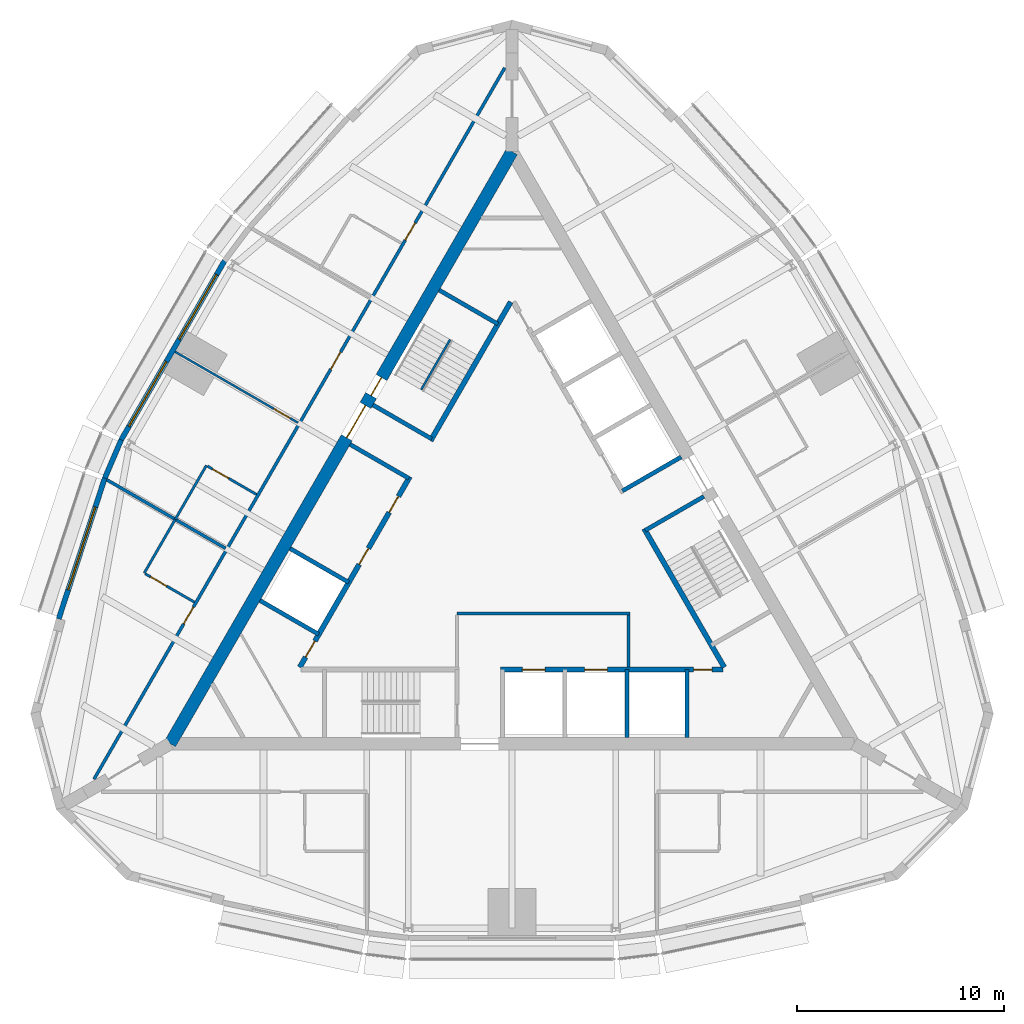
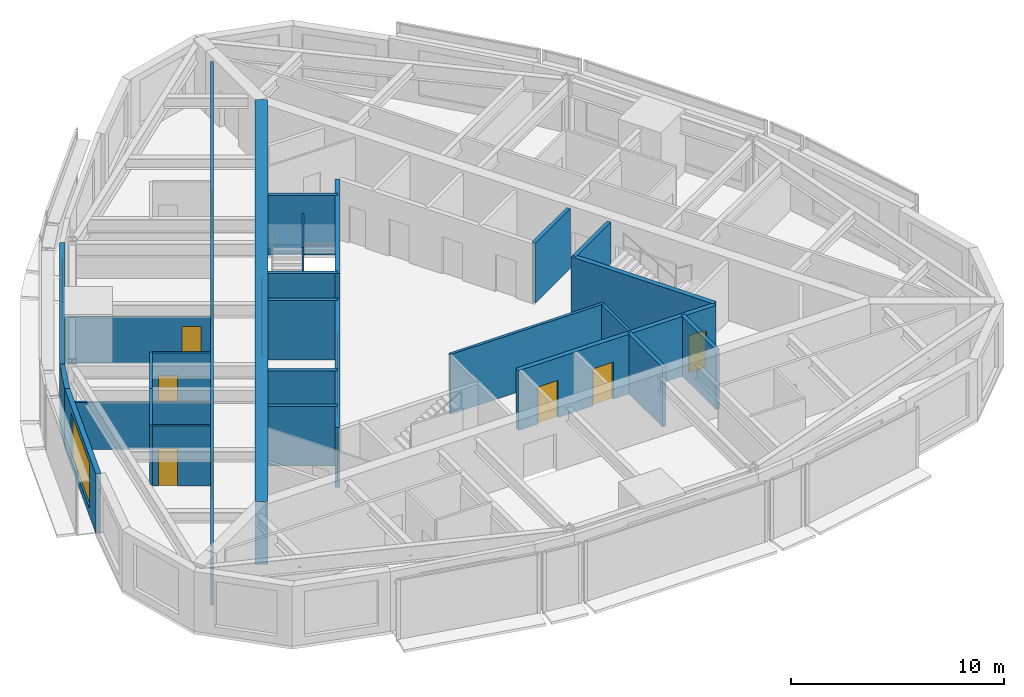
# One storey, part 8 of 12: 27 walls, 14 doors, 3 windows, 17 openings.
"""IFC4 building model written with IfcOpenShell, lengths in metres."""

import ifcopenshell
import ifcopenshell.guid

model = None  # the IFC model being written
_history = None  # IfcOwnerHistory: only IFC2X3 demands one
_inside = {}  # id of a spatial element -> (the spatial element, [elements in it])
_under = {}  # id of a project, library or spatial element -> (it, [spatial elements below it])
_declared = {}  # id of a project -> (the project, [libraries it declares])
_typed = {}  # id of a type object -> (the type object, [elements of that type])
_made_of = {}  # id of a material, layer set ... -> (it, [elements and type objects made of it])


def new_model(schema):
    """Start an empty IFC model of exactly this schema.

    Asked for "IFC4X3", IfcOpenShell would pick the latest addendum, in which some entities
    have other attributes; the version numbers below select the first issue.
    IFC2X3 requires an IfcOwnerHistory on every rooted entity: one is made here for all.
    """
    global model, _history
    if schema == "IFC4X3":
        model = ifcopenshell.file(schema_version=(4, 3, 0, 0))
    else:
        model = ifcopenshell.file(schema=schema)
    _inside.clear()
    _under.clear()
    _declared.clear()
    _typed.clear()
    _made_of.clear()
    _history = None
    if model.schema == "IFC2X3":
        org = make("IfcOrganization", Name="unknown")
        user = make(
            "IfcPersonAndOrganization",
            ThePerson=make("IfcPerson", FamilyName="unknown"),
            TheOrganization=org,
        )
        app = make(
            "IfcApplication",
            ApplicationDeveloper=org,
            Version="unknown",
            ApplicationFullName="unknown",
            ApplicationIdentifier="unknown",
        )
        _history = make(
            "IfcOwnerHistory",
            OwningUser=user,
            OwningApplication=app,
            ChangeAction="ADDED",
            CreationDate=0,
        )
    return model


def make(cls, **values):
    """One entity of the class cls with the attributes given. An attribute that is None is left unset."""
    return model.create_entity(
        cls, **{name: value for name, value in values.items() if value is not None}
    )


def rooted(cls, **values):
    """An entity with a GlobalId (a new one), such as an element, a storey or a relation."""
    return make(cls, GlobalId=ifcopenshell.guid.new(), OwnerHistory=_history, **values)


def si_unit(unit_type, name, prefix=None):
    """IfcSIUnit, for example si_unit("LENGTHUNIT", "METRE", prefix="MILLI")."""
    return make("IfcSIUnit", UnitType=unit_type, Prefix=prefix, Name=name)


def assignment(units):
    """IfcUnitAssignment: the units of a project."""
    return None if units is None else make("IfcUnitAssignment", Units=units)


def point(xyz):
    """IfcCartesianPoint."""
    return None if xyz is None else make("IfcCartesianPoint", Coordinates=xyz)


def direction(xyz):
    """IfcDirection."""
    return None if xyz is None else make("IfcDirection", DirectionRatios=xyz)


def frame(location, z_axis=None, x_axis=None):
    """IfcAxis2Placement3D, a coordinate frame: its origin and axes. An axis left out is left unset."""
    return make(
        "IfcAxis2Placement3D",
        Location=point(location),
        Axis=direction(z_axis),
        RefDirection=direction(x_axis),
    )


def frame_2d(location, x_axis=None):
    """IfcAxis2Placement2D, a coordinate frame in the plane: its origin and x axis."""
    return make(
        "IfcAxis2Placement2D", Location=point(location), RefDirection=direction(x_axis)
    )


def origin():
    """The frame at (0, 0, 0) with its axes left unset."""
    return frame((0.0, 0.0, 0.0))


def place(relative_to, where):
    """IfcLocalPlacement: puts the frame where relative to a parent placement (None: the world)."""
    return make(
        "IfcLocalPlacement", PlacementRelTo=relative_to, RelativePlacement=where
    )


def context(
    kind, dimensions, precision=None, world=None, true_north=None, identifier=None
):
    """IfcGeometricRepresentationContext, for example the 3D "Model" context."""
    return make(
        "IfcGeometricRepresentationContext",
        ContextIdentifier=identifier,
        ContextType=kind,
        CoordinateSpaceDimension=dimensions,
        Precision=precision,
        WorldCoordinateSystem=world,
        TrueNorth=true_north,
    )


def subcontext(parent, identifier, kind, view, scale=None):
    """IfcGeometricRepresentationSubContext, for example "Body" below "Model"."""
    return make(
        "IfcGeometricRepresentationSubContext",
        ContextIdentifier=identifier,
        ContextType=kind,
        ParentContext=parent,
        TargetScale=scale,
        TargetView=view,
    )


def project(units=None, contexts=None):
    """IfcProject with its units and contexts."""
    return rooted(
        "IfcProject",
        Name="project",
        RepresentationContexts=contexts,
        UnitsInContext=assignment(units),
    )


def spatial(cls, under=None, at=None, **own):
    """A site, building, storey or space (cls), placed at a placement, below another one or the project."""
    s = rooted(cls, ObjectPlacement=at, **own)
    if under is not None:
        _under.setdefault(under.id(), (under, []))[1].append(s)
    return s


def profile(cls, at=None, kind="AREA", **sizes):
    """A parametric profile (cls). Its sizes go by their IFC names, for example OverallWidth=200.0."""
    return make(cls, ProfileType=kind, Position=at, **sizes)


def rectangle(**sizes):
    """IfcRectangleProfileDef."""
    return profile("IfcRectangleProfileDef", **sizes)


def extrude(swept, where, along, depth):
    """IfcExtrudedAreaSolid: the profile swept, set in the frame where, extruded along a direction by depth."""
    return make(
        "IfcExtrudedAreaSolid",
        SweptArea=swept,
        Position=where,
        ExtrudedDirection=direction(along),
        Depth=depth,
    )


def shape(context_of_items, identifier, shape_type, items):
    """IfcShapeRepresentation: the items that make up one representation, for example the "Body"."""
    return make(
        "IfcShapeRepresentation",
        ContextOfItems=context_of_items,
        RepresentationIdentifier=identifier,
        RepresentationType=shape_type,
        Items=items,
    )


def material(Name=None, Category=None):
    """IfcMaterial."""
    return make("IfcMaterial", Name=Name, Category=Category)


def layer(
    of_material, thickness, ventilated=None, Name=None, Category=None, Priority=None
):
    """IfcMaterialLayer: one layer of a wall or slab, of a material (None: an air gap)."""
    return make(
        "IfcMaterialLayer",
        Material=of_material,
        LayerThickness=thickness,
        IsVentilated=ventilated,
        Name=Name,
        Category=Category,
        Priority=Priority,
    )


def layer_set(layers, Name=None):
    """IfcMaterialLayerSet."""
    return make("IfcMaterialLayerSet", MaterialLayers=layers, LayerSetName=Name)


def made_of(thing, what):
    """Note that an element or type object is made of a material, layer set ...; save() writes the relation."""
    if what is not None:
        _made_of.setdefault(what.id(), (what, []))[1].append(thing)
    return thing


def type_object(cls, material=None, **own):
    """A type object (cls), such as IfcWallType, which elements share."""
    return made_of(rooted(cls, **own), material)


def element(
    cls,
    number,
    at=None,
    inside=None,
    cuts=None,
    type_object=None,
    material=None,
    context=None,
    identifier="Body",
    shape_type=None,
    held_by="IfcProductDefinitionShape",
    body=None,
    shapes=None,
    **own,
):
    """One element of the class cls, such as IfcWall. Its Tag is "e" and its number.

    at: its placement. inside: the storey or other place that contains it. cuts: it is an
    opening in that element (IfcRelVoidsElement). A single representation is given by context,
    identifier, shape_type and body (its items); several are given by shapes. held_by: the class
    of the entity that holds the representations. save() writes the other relations.
    """
    e = rooted(cls, Tag="e%d" % number, ObjectPlacement=at, **own)
    if body is not None:
        shapes = [shape(context, identifier, shape_type, body)]
    if shapes is not None:
        e.Representation = make(held_by, Representations=shapes)
    if inside is not None:
        _inside.setdefault(inside.id(), (inside, []))[1].append(e)
    if cuts is not None:
        rooted(
            "IfcRelVoidsElement", RelatingBuildingElement=cuts, RelatedOpeningElement=e
        )
    if type_object is not None:
        _typed.setdefault(type_object.id(), (type_object, []))[1].append(e)
    return made_of(e, material)


def fill(opening, filler):
    """IfcRelFillsElement: the door or window that sits in an opening."""
    return rooted(
        "IfcRelFillsElement",
        RelatingOpeningElement=opening,
        RelatedBuildingElement=filler,
    )


def aggregate(whole, parts):
    """IfcRelAggregates: a whole, such as a stair, and the parts it consists of."""
    return rooted("IfcRelAggregates", RelatingObject=whole, RelatedObjects=parts)


def save(model, path):
    """Write the relations noted so far, then the file.

    IfcRelAggregates (storeys below a building ...), IfcRelContainedInSpatialStructure (elements
    in a storey), IfcRelDefinesByType, IfcRelAssociatesMaterial and IfcRelDeclares: one each for
    every whole, place, type object, material and project.
    """
    for whole, parts in _under.values():
        aggregate(whole, parts)
    for where, things in _inside.values():
        rooted(
            "IfcRelContainedInSpatialStructure",
            RelatedElements=things,
            RelatingStructure=where,
        )
    for kind, things in _typed.values():
        rooted("IfcRelDefinesByType", RelatedObjects=things, RelatingType=kind)
    for what, things in _made_of.values():
        rooted("IfcRelAssociatesMaterial", RelatedObjects=things, RelatingMaterial=what)
    for by, libraries in _declared.values():
        rooted("IfcRelDeclares", RelatingContext=by, RelatedDefinitions=libraries)
    model.write(path)


model = new_model("IFC4")

# Units and contexts
model_context = context("Model", 3, precision=1e-05, world=origin(), true_north=direction((0.0, 1.0)))
body_context = subcontext(model_context, "Body", "Model", "MODEL_VIEW")
ifc_project = project(units=[si_unit("LENGTHUNIT", "METRE"), si_unit("AREAUNIT", "SQUARE_METRE"), si_unit("VOLUMEUNIT", "CUBIC_METRE"), si_unit("PLANEANGLEUNIT", "RADIAN"), si_unit("MASSUNIT", "GRAM", prefix="KILO")], contexts=[model_context])

# Site, building, storey
site_placement = place(None, origin())
site = spatial("IfcSite", under=ifc_project, at=site_placement, CompositionType="ELEMENT")
building_placement = place(site_placement, origin())
building = spatial("IfcBuilding", under=site, at=building_placement, Name="Trikona Tower", CompositionType="ELEMENT")
storey_placement = place(building_placement, frame((0.0, 0.0, 253.699951171875)))
storey = spatial("IfcBuildingStorey", under=building, at=storey_placement, Name="L67", CompositionType="ELEMENT", Elevation=253.699951171875)

# Wall
ifc_material_1 = material(Name="Metal stud and cement board", Category="gypsum")
ifc_layer_1 = layer(ifc_material_1, 0.1201171875)
ifc_layer_set_1 = layer_set([ifc_layer_1], Name="Bathroom wall 120")
wall_type_1 = type_object("IfcWallType", Name="Bathroom wall 120", PredefinedType="PLUMBINGWALL", material=ifc_layer_set_1)
wall_1_placement = place(storey_placement, frame((-14.75341796875, 3.89892578125, 0.0), z_axis=(0.0, 0.0, 1.0), x_axis=(-0.50002537861, -0.866010750942, 0.0)))
element("IfcWall", 1, at=wall_1_placement, inside=storey, type_object=wall_type_1, Name="Bathroom wall 6706.1", PredefinedType="PLUMBINGWALL", context=body_context, shape_type="SweptSolid", body=[
    extrude(rectangle(XDim=2.999755859375, YDim=0.1201171875, at=frame_2d((1.5, 0.0))), origin(), (0.0, 0.0, 1.0), 3.43505859375),
])

# Wall, opening, door
wall_2_placement = place(storey_placement, frame((-12.32861328125, 2.4990234375, 0.0), z_axis=(0.0, 0.0, 1.0), x_axis=(-0.866035715982, 0.499982138324, 0.0)))
wall_2 = element("IfcWall", 2, at=wall_2_placement, inside=storey, type_object=wall_type_1, Name="Bathroom wall 6706.1", PredefinedType="PLUMBINGWALL", context=body_context, shape_type="SweptSolid", body=[
    extrude(rectangle(XDim=2.73974609375, YDim=0.1201171875, at=frame_2d((1.369873046875, 0.0))), origin(), (0.0, 0.0, 1.0), 3.43505859375),
])
opening_1_placement = place(wall_2_placement, frame((1.550048828125, 0.0, 0.0)))
opening_1 = element("IfcOpeningElement", 3, at=opening_1_placement, cuts=wall_2, Name="Opening D2", PredefinedType="OPENING", context=body_context, shape_type="SweptSolid", body=[
    extrude(rectangle(XDim=0.89990234375, YDim=2.1298828125, at=frame_2d((0.449951171875, 1.06494140625))), frame((0.0, 0.070068359375, 0.0), z_axis=(0.0, -1.0, 0.0), x_axis=(1.0, 0.0, 0.0)), (0.0, 0.0, 1.0), 0.14013671875),
])
ifc_material_2 = material(Name="Steel door frame with solid-core timber leaf", Category="steel")
door_type_1 = type_object("IfcDoorType", Name="Bathroom door 900x2130", OperationType="SLIDING_TO_LEFT", PredefinedType="DOOR", material=ifc_material_2)
door_1_placement = place(opening_1_placement, origin())
door_1 = element("IfcDoor", 4, at=door_1_placement, inside=storey, type_object=door_type_1, Name="Bathroom door 6706.1", OperationType="SLIDING_TO_LEFT", OverallHeight=2.1298828125, OverallWidth=0.89990234375, PredefinedType="DOOR", context=body_context, shape_type="SweptSolid", body=[
    extrude(rectangle(XDim=0.89990234375, YDim=2.1298828125, at=frame_2d((0.449951171875, 1.06494140625))), frame((0.0, 0.02490234375, 0.0), z_axis=(0.0, -1.0, 0.0), x_axis=(1.0, 0.0, 0.0)), (0.0, 0.0, 1.0), 0.050048828125),
])
fill(opening_1, door_1)

# Wall
wall_3_placement = place(storey_placement, frame((-16.25341796875, 1.301025390625, 0.0), z_axis=(0.0, 0.0, 1.0), x_axis=(-0.499990139034, -0.866031096941, 0.0)))
element("IfcWall", 5, at=wall_3_placement, inside=storey, type_object=wall_type_1, Name="Bathroom wall 6707", PredefinedType="PLUMBINGWALL", context=body_context, shape_type="SweptSolid", body=[
    extrude(rectangle(XDim=3.0, YDim=0.1201171875, at=frame_2d((1.5, 0.0))), origin(), (0.0, 0.0, 1.0), 3.43505859375),
])

# Wall, opening, door
wall_4_placement = place(storey_placement, frame((-15.32861328125, -2.697021484375, 0.0), z_axis=(0.0, 0.0, 1.0), x_axis=(-0.866035715982, 0.499982138324, 0.0)))
wall_4 = element("IfcWall", 6, at=wall_4_placement, inside=storey, type_object=wall_type_1, Name="Bathroom wall 6707", PredefinedType="PLUMBINGWALL", context=body_context, shape_type="SweptSolid", body=[
    extrude(rectangle(XDim=2.73974609375, YDim=0.1201171875, at=frame_2d((1.369873046875, 0.0))), origin(), (0.0, 0.0, 1.0), 3.43505859375),
])
opening_2_placement = place(wall_4_placement, frame((1.550048828125, 0.0, 0.0)))
opening_2 = element("IfcOpeningElement", 7, at=opening_2_placement, cuts=wall_4, Name="Opening D2", PredefinedType="OPENING", context=body_context, shape_type="SweptSolid", body=[
    extrude(rectangle(XDim=0.89990234375, YDim=2.1298828125, at=frame_2d((0.449951171875, 1.06494140625))), frame((0.0, 0.070068359375, 0.0), z_axis=(0.0, -1.0, 0.0), x_axis=(1.0, 0.0, 0.0)), (0.0, 0.0, 1.0), 0.14013671875),
])
door_2_placement = place(opening_2_placement, origin())
door_2 = element("IfcDoor", 8, at=door_2_placement, inside=storey, type_object=door_type_1, Name="Bathroom door 6707", OperationType="SLIDING_TO_LEFT", OverallHeight=2.1298828125, OverallWidth=0.89990234375, PredefinedType="DOOR", context=body_context, shape_type="SweptSolid", body=[
    extrude(rectangle(XDim=0.89990234375, YDim=2.1298828125, at=frame_2d((0.449951171875, 1.06494140625))), frame((0.0, 0.02490234375, 0.0), z_axis=(0.0, -1.0, 0.0), x_axis=(1.0, 0.0, 0.0)), (0.0, 0.0, 1.0), 0.050048828125),
])
fill(opening_2, door_2)

# Wall, openings, doors
ifc_material_3 = material(Name="Concrete f'c 10000 psi", Category="concrete")
ifc_layer_2 = layer(ifc_material_3, 0.60009765625)
ifc_layer_set_2 = layer_set([ifc_layer_2], Name="Core wall 600")
wall_type_2 = type_object("IfcWallType", Name="Core wall 600", PredefinedType="SHEAR", material=ifc_layer_set_2)
wall_5_placement = place(storey_placement, frame((0.0, 19.052490234375, 0.0), z_axis=(0.0, 0.0, 1.0), x_axis=(-0.499999749417, -0.866025548458, 0.0)))
wall_5 = element("IfcWall", 9, at=wall_5_placement, inside=storey, type_object=wall_type_2, Name="Core wall C", PredefinedType="SHEAR", context=body_context, shape_type="SweptSolid", body=[
    extrude(rectangle(XDim=33.0, YDim=0.60009765625, at=frame_2d((16.5, 0.0))), origin(), (0.0, 0.0, 1.0), 3.60009765625),
])
opening_3_placement = place(wall_5_placement, frame((14.14990234375, 0.0, 0.0)))
opening_3 = element("IfcOpeningElement", 10, at=opening_3_placement, cuts=wall_5, Name="Opening D6", PredefinedType="OPENING", context=body_context, shape_type="SweptSolid", body=[
    extrude(rectangle(XDim=1.800048828125, YDim=2.1298828125, at=frame_2d((0.89990234375, 1.06494140625))), frame((0.0, 0.31005859375, 0.0), z_axis=(0.0, -1.0, 0.0), x_axis=(1.0, 0.0, 0.0)), (0.0, 0.0, 1.0), 0.6201171875),
])
opening_4_placement = place(wall_5_placement, frame((12.60009765625, 0.0, 0.0)))
opening_4 = element("IfcOpeningElement", 11, at=opening_4_placement, cuts=wall_5, Name="Opening D5", PredefinedType="OPENING", context=body_context, shape_type="SweptSolid", body=[
    extrude(rectangle(XDim=1.0, YDim=2.1298828125, at=frame_2d((0.5, 1.06494140625))), frame((0.0, 0.31005859375, 0.0), z_axis=(0.0, -1.0, 0.0), x_axis=(1.0, 0.0, 0.0)), (0.0, 0.0, 1.0), 0.6201171875),
])
ifc_material_4 = material(Name="Hollow metal door and frame", Category="steel")
door_type_2 = type_object("IfcDoorType", Name="Lobby door pair 1800x2130", OperationType="DOUBLE_DOOR_SINGLE_SWING", PredefinedType="DOOR", material=ifc_material_4)
door_3_placement = place(opening_3_placement, origin())
door_3 = element("IfcDoor", 12, at=door_3_placement, inside=storey, type_object=door_type_2, Name="Lift lobby door C", OperationType="DOUBLE_DOOR_SINGLE_SWING", OverallHeight=2.1298828125, OverallWidth=1.800048828125, PredefinedType="DOOR", context=body_context, shape_type="SweptSolid", body=[
    extrude(rectangle(XDim=1.800048828125, YDim=2.1298828125, at=frame_2d((0.89990234375, 1.06494140625))), frame((0.0, 0.02490234375, 0.0), z_axis=(0.0, -1.0, 0.0), x_axis=(1.0, 0.0, 0.0)), (0.0, 0.0, 1.0), 0.050048828125),
])
fill(opening_3, door_3)
ifc_material_5 = material(Name="Hollow metal door and frame", Category="steel")
door_type_3 = type_object("IfcDoorType", Name="Stair door 1000x2130", OperationType="SINGLE_SWING_LEFT", PredefinedType="DOOR", material=ifc_material_5)
door_4_placement = place(opening_4_placement, origin())
door_4 = element("IfcDoor", 13, at=door_4_placement, inside=storey, type_object=door_type_3, Name="Stair C door", OperationType="SINGLE_SWING_RIGHT", OverallHeight=2.1298828125, OverallWidth=1.0, PredefinedType="DOOR", context=body_context, shape_type="SweptSolid", body=[
    extrude(rectangle(XDim=1.0, YDim=2.1298828125, at=frame_2d((0.5, 1.06494140625))), frame((0.0, 0.02490234375, 0.0), z_axis=(0.0, -1.0, 0.0), x_axis=(1.0, 0.0, 0.0)), (0.0, 0.0, 1.0), 0.050048828125),
])
fill(opening_4, door_4)

ifc_material_6 = material(Name="Metal stud and gypsum board, 1-hour", Category="gypsum")
ifc_layer_3 = layer(ifc_material_6, 0.14990234375)
ifc_layer_set_3 = layer_set([ifc_layer_3], Name="Corridor wall 150")
wall_type_3 = type_object("IfcWallType", Name="Corridor wall 150", PredefinedType="PARTITIONING", material=ifc_layer_set_3)
wall_6_placement = place(storey_placement, frame((-0.35009765625, 23.09619140625, 0.0), z_axis=(0.0, 0.0, 1.0), x_axis=(-0.499998875317, -0.866026053119, 0.0)))
wall_6 = element("IfcWall", 14, at=wall_6_placement, inside=storey, type_object=wall_type_3, Name="Corridor wall L67-3", PredefinedType="PARTITIONING", context=body_context, shape_type="SweptSolid", body=[
    extrude(rectangle(XDim=39.65380859375, YDim=0.14990234375, at=frame_2d((19.826904296875, 0.0))), origin(), (0.0, 0.0, 1.0), 3.43505859375),
])
opening_5_placement = place(wall_6_placement, frame((8.652099609375, 0.0, 0.0)))
opening_5 = element("IfcOpeningElement", 15, at=opening_5_placement, cuts=wall_6, Name="Opening D1", PredefinedType="OPENING", context=body_context, shape_type="SweptSolid", body=[
    extrude(rectangle(XDim=0.949951171875, YDim=2.1298828125, at=frame_2d((0.47509765625, 1.06494140625))), frame((0.0, 0.0849609375, 0.0), z_axis=(0.0, -1.0, 0.0), x_axis=(1.0, 0.0, 0.0)), (0.0, 0.0, 1.0), 0.169921875),
])
opening_6_placement = place(wall_6_placement, frame((15.85205078125, 0.0, 0.0)))
opening_6 = element("IfcOpeningElement", 16, at=opening_6_placement, cuts=wall_6, Name="Opening D1", PredefinedType="OPENING", context=body_context, shape_type="SweptSolid", body=[
    extrude(rectangle(XDim=0.949951171875, YDim=2.1298828125, at=frame_2d((0.47509765625, 1.06494140625))), frame((0.0, 0.0849609375, 0.0), z_axis=(0.0, -1.0, 0.0), x_axis=(1.0, 0.0, 0.0)), (0.0, 0.0, 1.0), 0.169921875),
])
opening_7_placement = place(wall_6_placement, frame((30.052001953125, 0.0, 0.0)))
opening_7 = element("IfcOpeningElement", 17, at=opening_7_placement, cuts=wall_6, Name="Opening D1", PredefinedType="OPENING", context=body_context, shape_type="SweptSolid", body=[
    extrude(rectangle(XDim=0.949951171875, YDim=2.1298828125, at=frame_2d((0.47509765625, 1.06494140625))), frame((0.0, 0.0849609375, 0.0), z_axis=(0.0, -1.0, 0.0), x_axis=(1.0, 0.0, 0.0)), (0.0, 0.0, 1.0), 0.169921875),
])
ifc_material_7 = material(Name="Steel door frame with solid-core timber leaf", Category="steel")
door_type_4 = type_object("IfcDoorType", Name="Guest room door 950x2130", OperationType="SINGLE_SWING_LEFT", PredefinedType="DOOR", material=ifc_material_7)
door_5_placement = place(opening_5_placement, origin())
door_5 = element("IfcDoor", 18, at=door_5_placement, inside=storey, type_object=door_type_4, Name="Room door 6705", OperationType="SINGLE_SWING_LEFT", OverallHeight=2.1298828125, OverallWidth=0.949951171875, PredefinedType="DOOR", context=body_context, shape_type="SweptSolid", body=[
    extrude(rectangle(XDim=0.949951171875, YDim=2.1298828125, at=frame_2d((0.47509765625, 1.06494140625))), frame((0.0, 0.02490234375, 0.0), z_axis=(0.0, -1.0, 0.0), x_axis=(1.0, 0.0, 0.0)), (0.0, 0.0, 1.0), 0.050048828125),
])
fill(opening_5, door_5)
door_6_placement = place(opening_6_placement, origin())
door_6 = element("IfcDoor", 19, at=door_6_placement, inside=storey, type_object=door_type_4, Name="Room door 6706", OperationType="SINGLE_SWING_RIGHT", OverallHeight=2.1298828125, OverallWidth=0.949951171875, PredefinedType="DOOR", context=body_context, shape_type="SweptSolid", body=[
    extrude(rectangle(XDim=0.949951171875, YDim=2.1298828125, at=frame_2d((0.47509765625, 1.06494140625))), frame((0.0, 0.02490234375, 0.0), z_axis=(0.0, -1.0, 0.0), x_axis=(1.0, 0.0, 0.0)), (0.0, 0.0, 1.0), 0.050048828125),
])
fill(opening_6, door_6)
door_7_placement = place(opening_7_placement, origin())
door_7 = element("IfcDoor", 20, at=door_7_placement, inside=storey, type_object=door_type_4, Name="Room door 6707", OperationType="SINGLE_SWING_LEFT", OverallHeight=2.1298828125, OverallWidth=0.949951171875, PredefinedType="DOOR", context=body_context, shape_type="SweptSolid", body=[
    extrude(rectangle(XDim=0.949951171875, YDim=2.1298828125, at=frame_2d((0.47509765625, 1.06494140625))), frame((0.0, 0.02490234375, 0.0), z_axis=(0.0, -1.0, 0.0), x_axis=(1.0, 0.0, 0.0)), (0.0, 0.0, 1.0), 0.050048828125),
])
fill(opening_7, door_7)

ifc_material_8 = material(Name="Concrete f'c 8000 psi", Category="concrete")
ifc_layer_4 = layer(ifc_material_8, 0.25)
ifc_layer_set_4 = layer_set([ifc_layer_4], Name="Hub wall 250")
wall_type_4 = type_object("IfcWallType", Name="Hub wall 250", PredefinedType="SOLIDWALL", material=ifc_layer_set_4)
wall_7_placement = place(storey_placement, frame((-0.550048828125, -5.951416015625, 0.0), z_axis=(0.0, 0.0, 1.0), x_axis=(1.0, 0.0, 0.0)))
wall_7 = element("IfcWall", 21, at=wall_7_placement, inside=storey, type_object=wall_type_4, Name="Lift lobby wall A2", PredefinedType="SOLIDWALL", context=body_context, shape_type="SweptSolid", body=[
    extrude(rectangle(XDim=10.73291015625, YDim=0.25, at=frame_2d((5.366455078125, 0.0))), origin(), (0.0, 0.0, 1.0), 3.43505859375),
])
opening_8_placement = place(wall_7_placement, frame((9.31396484375, 0.0, 0.0)))
opening_8 = element("IfcOpeningElement", 22, at=opening_8_placement, cuts=wall_7, Name="Opening D14", PredefinedType="OPENING", context=body_context, shape_type="SweptSolid", body=[
    extrude(rectangle(XDim=0.89990234375, YDim=2.1298828125, at=frame_2d((0.449951171875, 1.06494140625))), frame((0.0, 0.135009765625, 0.0), z_axis=(0.0, -1.0, 0.0), x_axis=(1.0, 0.0, 0.0)), (0.0, 0.0, 1.0), 0.27001953125),
])
opening_9_placement = place(wall_7_placement, frame((1.050048828125, 0.0, 0.0)))
opening_9 = element("IfcOpeningElement", 23, at=opening_9_placement, cuts=wall_7, Name="Opening LD", PredefinedType="OPENING", context=body_context, shape_type="SweptSolid", body=[
    extrude(rectangle(XDim=1.10009765625, YDim=2.1298828125, at=frame_2d((0.550048828125, 1.06494140625))), frame((0.0, 0.135009765625, 0.0), z_axis=(0.0, -1.0, 0.0), x_axis=(1.0, 0.0, 0.0)), (0.0, 0.0, 1.0), 0.27001953125),
])
opening_10_placement = place(wall_7_placement, frame((4.050048828125, 0.0, 0.0)))
opening_10 = element("IfcOpeningElement", 24, at=opening_10_placement, cuts=wall_7, Name="Opening LD", PredefinedType="OPENING", context=body_context, shape_type="SweptSolid", body=[
    extrude(rectangle(XDim=1.10009765625, YDim=2.1298828125, at=frame_2d((0.550048828125, 1.06494140625))), frame((0.0, 0.135009765625, 0.0), z_axis=(0.0, -1.0, 0.0), x_axis=(1.0, 0.0, 0.0)), (0.0, 0.0, 1.0), 0.27001953125),
])
ifc_material_9 = material(Name="Stainless steel lift landing door", Category="steel")
door_type_5 = type_object("IfcDoorType", Name="Lift landing door 1100x2130", OperationType="DOUBLE_DOOR_SLIDING", PredefinedType="USERDEFINED", material=ifc_material_9)
door_8_placement = place(opening_9_placement, origin())
door_8 = element("IfcDoor", 25, at=door_8_placement, inside=storey, type_object=door_type_5, Name="Lift landing door FF1", ObjectType="LIFT LANDING DOOR", OperationType="DOUBLE_DOOR_SLIDING", OverallHeight=2.1298828125, OverallWidth=1.10009765625, PredefinedType="USERDEFINED", context=body_context, shape_type="SweptSolid", body=[
    extrude(rectangle(XDim=1.10009765625, YDim=2.1298828125, at=frame_2d((0.550048828125, 1.06494140625))), frame((0.0, 0.02490234375, 0.0), z_axis=(0.0, -1.0, 0.0), x_axis=(1.0, 0.0, 0.0)), (0.0, 0.0, 1.0), 0.050048828125),
])
fill(opening_9, door_8)
door_9_placement = place(opening_10_placement, origin())
door_9 = element("IfcDoor", 26, at=door_9_placement, inside=storey, type_object=door_type_5, Name="Lift landing door FF2", ObjectType="LIFT LANDING DOOR", OperationType="DOUBLE_DOOR_SLIDING", OverallHeight=2.1298828125, OverallWidth=1.10009765625, PredefinedType="USERDEFINED", context=body_context, shape_type="SweptSolid", body=[
    extrude(rectangle(XDim=1.10009765625, YDim=2.1298828125, at=frame_2d((0.550048828125, 1.06494140625))), frame((0.0, 0.02490234375, 0.0), z_axis=(0.0, -1.0, 0.0), x_axis=(1.0, 0.0, 0.0)), (0.0, 0.0, 1.0), 0.050048828125),
])
fill(opening_10, door_9)
ifc_material_10 = material(Name="Hollow metal door and frame", Category="steel")
door_type_6 = type_object("IfcDoorType", Name="Service room door 900x2130", OperationType="SINGLE_SWING_LEFT", PredefinedType="DOOR", material=ifc_material_10)
door_10_placement = place(opening_8_placement, origin())
door_10 = element("IfcDoor", 27, at=door_10_placement, inside=storey, type_object=door_type_6, Name="Door Ice and vending ICE", OperationType="SINGLE_SWING_RIGHT", OverallHeight=2.1298828125, OverallWidth=0.89990234375, PredefinedType="DOOR", context=body_context, shape_type="SweptSolid", body=[
    extrude(rectangle(XDim=0.89990234375, YDim=2.1298828125, at=frame_2d((0.449951171875, 1.06494140625))), frame((0.0, 0.02490234375, 0.0), z_axis=(0.0, -1.0, 0.0), x_axis=(1.0, 0.0, 0.0)), (0.0, 0.0, 1.0), 0.050048828125),
])
fill(opening_8, door_10)

# Walls
for number, where, z_axis, x_axis, name in (
    (28, (10.245361328125, -5.843017578125, 0.0), (0.0, 0.0, 1.0), (-0.499993009313, 0.866029439822, 0.0), "Lift lobby wall B1"),
    (29, (-0.0625, 11.794189453125, 0.0), (0.0, 0.0, 1.0), (-0.500006680225, -0.86602154692, 0.0), "Lift lobby wall C1"),
):
    element("IfcWall", number, at=place(storey_placement, frame(where, z_axis=z_axis, x_axis=x_axis)), inside=storey, type_object=wall_type_4, Name=name, PredefinedType="SOLIDWALL", context=body_context, shape_type="SweptSolid", body=[
        extrude(rectangle(XDim=7.73291015625, YDim=0.25, at=frame_2d((3.866455078125, 0.0))), origin(), (0.0, 0.0, 1.0), 3.43505859375),
    ])

# Wall, openings, doors
wall_8_placement = place(storey_placement, frame((-4.928955078125, 3.365478515625, 0.0), z_axis=(0.0, 0.0, 1.0), x_axis=(-0.499991433582, -0.866030349552, 0.0)))
wall_8 = element("IfcWall", 30, at=wall_8_placement, inside=storey, type_object=wall_type_4, Name="Lift lobby wall C2", PredefinedType="SOLIDWALL", context=body_context, shape_type="SweptSolid", body=[
    extrude(rectangle(XDim=10.633056640625, YDim=0.25, at=frame_2d((5.31640625, 0.0))), origin(), (0.0, 0.0, 1.0), 3.43505859375),
])
opening_11_placement = place(wall_8_placement, frame((9.1640625, 0.0, 0.0)))
opening_11 = element("IfcOpeningElement", 31, at=opening_11_placement, cuts=wall_8, Name="Opening D14", PredefinedType="OPENING", context=body_context, shape_type="SweptSolid", body=[
    extrude(rectangle(XDim=0.89990234375, YDim=2.1298828125, at=frame_2d((0.449951171875, 1.06494140625))), frame((0.0, 0.135009765625, 0.0), z_axis=(0.0, -1.0, 0.0), x_axis=(1.0, 0.0, 0.0)), (0.0, 0.0, 1.0), 0.27001953125),
])
opening_12_placement = place(wall_8_placement, frame((1.10009765625, 0.0, 0.0)))
opening_12 = element("IfcOpeningElement", 32, at=opening_12_placement, cuts=wall_8, Name="Opening D14", PredefinedType="OPENING", context=body_context, shape_type="SweptSolid", body=[
    extrude(rectangle(XDim=0.89990234375, YDim=2.1298828125, at=frame_2d((0.449951171875, 1.06494140625))), frame((0.0, 0.135009765625, 0.0), z_axis=(0.0, -1.0, 0.0), x_axis=(1.0, 0.0, 0.0)), (0.0, 0.0, 1.0), 0.27001953125),
])
opening_13_placement = place(wall_8_placement, frame((4.0, 0.0, 0.0)))
opening_13 = element("IfcOpeningElement", 33, at=opening_13_placement, cuts=wall_8, Name="Opening D14", PredefinedType="OPENING", context=body_context, shape_type="SweptSolid", body=[
    extrude(rectangle(XDim=0.89990234375, YDim=2.1298828125, at=frame_2d((0.449951171875, 1.06494140625))), frame((0.0, 0.135009765625, 0.0), z_axis=(0.0, -1.0, 0.0), x_axis=(1.0, 0.0, 0.0)), (0.0, 0.0, 1.0), 0.27001953125),
])
door_11_placement = place(opening_11_placement, origin())
door_11 = element("IfcDoor", 34, at=door_11_placement, inside=storey, type_object=door_type_6, Name="Door Housekeeping store HKS", OperationType="SINGLE_SWING_RIGHT", OverallHeight=2.1298828125, OverallWidth=0.89990234375, PredefinedType="DOOR", context=body_context, shape_type="SweptSolid", body=[
    extrude(rectangle(XDim=0.89990234375, YDim=2.1298828125, at=frame_2d((0.449951171875, 1.06494140625))), frame((0.0, 0.02490234375, 0.0), z_axis=(0.0, -1.0, 0.0), x_axis=(1.0, 0.0, 0.0)), (0.0, 0.0, 1.0), 0.050048828125),
])
fill(opening_11, door_11)
door_12_placement = place(opening_12_placement, origin())
door_12 = element("IfcDoor", 35, at=door_12_placement, inside=storey, type_object=door_type_6, Name="Door IT and communications room ITC1", OperationType="SINGLE_SWING_LEFT", OverallHeight=2.1298828125, OverallWidth=0.89990234375, PredefinedType="DOOR", context=body_context, shape_type="SweptSolid", body=[
    extrude(rectangle(XDim=0.89990234375, YDim=2.1298828125, at=frame_2d((0.449951171875, 1.06494140625))), frame((0.0, 0.02490234375, 0.0), z_axis=(0.0, -1.0, 0.0), x_axis=(1.0, 0.0, 0.0)), (0.0, 0.0, 1.0), 0.050048828125),
])
fill(opening_12, door_12)
door_13_placement = place(opening_13_placement, origin())
door_13 = element("IfcDoor", 36, at=door_13_placement, inside=storey, type_object=door_type_6, Name="Door IT and communications room ITC1", OperationType="SINGLE_SWING_RIGHT", OverallHeight=2.1298828125, OverallWidth=0.89990234375, PredefinedType="DOOR", context=body_context, shape_type="SweptSolid", body=[
    extrude(rectangle(XDim=0.89990234375, YDim=2.1298828125, at=frame_2d((0.449951171875, 1.06494140625))), frame((0.0, 0.02490234375, 0.0), z_axis=(0.0, -1.0, 0.0), x_axis=(1.0, 0.0, 0.0)), (0.0, 0.0, 1.0), 0.050048828125),
])
fill(opening_13, door_13)

# Wall, openings, windows
ifc_material_11 = material(Name="Insulated precast concrete spandrel panel", Category="concrete")
ifc_layer_5 = layer(ifc_material_11, 0.25)
ifc_layer_set_5 = layer_set([ifc_layer_5], Name="Inner skin wall 250")
wall_type_5 = type_object("IfcWallType", Name="Inner skin wall 250", PredefinedType="STANDARD", material=ifc_layer_set_5)
wall_9_placement = place(storey_placement, frame((-13.87255859375, 13.782958984375, 0.0), z_axis=(0.0, 0.0, 1.0), x_axis=(-0.499993662806, -0.866029062534, 0.0)))
wall_9 = element("IfcWall", 37, at=wall_9_placement, inside=storey, type_object=wall_type_5, Name="External wall L67-20", PredefinedType="STANDARD", context=body_context, shape_type="SweptSolid", body=[
    extrude(rectangle(XDim=10.000244140625, YDim=0.25, at=frame_2d((5.0, 0.0))), origin(), (0.0, 0.0, 1.0), 3.43505859375),
])
opening_14_placement = place(wall_9_placement, frame((0.77490234375, 0.0, 0.449951171875)))
opening_14 = element("IfcOpeningElement", 38, at=opening_14_placement, cuts=wall_9, Name="Opening W3626", PredefinedType="OPENING", context=body_context, shape_type="SweptSolid", body=[
    extrude(rectangle(XDim=3.60009765625, YDim=2.60009765625, at=frame_2d((1.800048828125, 1.300048828125))), frame((0.0, 0.135009765625, 0.0), z_axis=(0.0, -1.0, 0.0), x_axis=(1.0, 0.0, 0.0)), (0.0, 0.0, 1.0), 0.27001953125),
])
opening_15_placement = place(wall_9_placement, frame((5.625, 0.0, 0.449951171875)))
opening_15 = element("IfcOpeningElement", 39, at=opening_15_placement, cuts=wall_9, Name="Opening W3626", PredefinedType="OPENING", context=body_context, shape_type="SweptSolid", body=[
    extrude(rectangle(XDim=3.60009765625, YDim=2.60009765625, at=frame_2d((1.800048828125, 1.300048828125))), frame((0.0, 0.135009765625, 0.0), z_axis=(0.0, -1.0, 0.0), x_axis=(1.0, 0.0, 0.0)), (0.0, 0.0, 1.0), 0.27001953125),
])
ifc_material_12 = material(Name="Aluminium-framed double glazing", Category="aluminium")
window_type_1 = type_object("IfcWindowType", Name="Window 3600x2600", PartitioningType="SINGLE_PANEL", PredefinedType="WINDOW", material=ifc_material_12)
window_1_placement = place(opening_14_placement, origin())
window_1 = element("IfcWindow", 40, at=window_1_placement, inside=storey, type_object=window_type_1, Name="Window 6706", OverallHeight=2.60009765625, OverallWidth=3.60009765625, PartitioningType="SINGLE_PANEL", PredefinedType="WINDOW", context=body_context, shape_type="SweptSolid", body=[
    extrude(rectangle(XDim=3.60009765625, YDim=2.60009765625, at=frame_2d((1.800048828125, 1.300048828125))), frame((0.0, 0.030029296875, 0.0), z_axis=(0.0, -1.0, 0.0), x_axis=(1.0, 0.0, 0.0)), (0.0, 0.0, 1.0), 0.06005859375),
])
fill(opening_14, window_1)
window_2_placement = place(opening_15_placement, origin())
window_2 = element("IfcWindow", 41, at=window_2_placement, inside=storey, type_object=window_type_1, Name="Window 6706.1", OverallHeight=2.60009765625, OverallWidth=3.60009765625, PartitioningType="SINGLE_PANEL", PredefinedType="WINDOW", context=body_context, shape_type="SweptSolid", body=[
    extrude(rectangle(XDim=3.60009765625, YDim=2.60009765625, at=frame_2d((1.800048828125, 1.300048828125))), frame((0.0, 0.030029296875, 0.0), z_axis=(0.0, -1.0, 0.0), x_axis=(1.0, 0.0, 0.0)), (0.0, 0.0, 1.0), 0.06005859375),
])
fill(opening_15, window_2)

# Wall
wall_10_placement = place(storey_placement, frame((-18.865966796875, 5.135986328125, 0.0), z_axis=(0.0, 0.0, 1.0), x_axis=(-0.393290226175, -0.91941437774, 0.0)))
element("IfcWall", 42, at=wall_10_placement, inside=storey, type_object=wall_type_5, Name="External wall L67-21", PredefinedType="STANDARD", context=body_context, shape_type="SweptSolid", body=[
    extrude(rectangle(XDim=2.014404296875, YDim=0.25, at=frame_2d((1.00732421875, 0.0))), origin(), (0.0, 0.0, 1.0), 3.43505859375),
])

# Wall, opening, window
wall_11_placement = place(storey_placement, frame((-19.654296875, 3.294189453125, 0.0), z_axis=(0.0, 0.0, 1.0), x_axis=(-0.311328857048, -0.95030223759, 0.0)))
wall_11 = element("IfcWall", 43, at=wall_11_placement, inside=storey, type_object=wall_type_5, Name="External wall L67-22", PredefinedType="STANDARD", context=body_context, shape_type="SweptSolid", body=[
    extrude(rectangle(XDim=7.152587890625, YDim=0.25, at=frame_2d((3.576171875, 0.0))), origin(), (0.0, 0.0, 1.0), 3.43505859375),
])
opening_16_placement = place(wall_11_placement, frame((1.476318359375, 0.0, 0.449951171875)))
opening_16 = element("IfcOpeningElement", 44, at=opening_16_placement, cuts=wall_11, Name="Opening W4226", PredefinedType="OPENING", context=body_context, shape_type="SweptSolid", body=[
    extrude(rectangle(XDim=4.199951171875, YDim=2.60009765625, at=frame_2d((2.10009765625, 1.300048828125))), frame((0.0, 0.135009765625, 0.0), z_axis=(0.0, -1.0, 0.0), x_axis=(1.0, 0.0, 0.0)), (0.0, 0.0, 1.0), 0.27001953125),
])
ifc_material_13 = material(Name="Aluminium-framed double glazing", Category="aluminium")
window_type_2 = type_object("IfcWindowType", Name="Window 4200x2600", PartitioningType="SINGLE_PANEL", PredefinedType="WINDOW", material=ifc_material_13)
window_3_placement = place(opening_16_placement, origin())
window_3 = element("IfcWindow", 45, at=window_3_placement, inside=storey, type_object=window_type_2, Name="Window 6707", OverallHeight=2.60009765625, OverallWidth=4.199951171875, PartitioningType="SINGLE_PANEL", PredefinedType="WINDOW", context=body_context, shape_type="SweptSolid", body=[
    extrude(rectangle(XDim=4.199951171875, YDim=2.60009765625, at=frame_2d((2.10009765625, 1.300048828125))), frame((0.0, 0.030029296875, 0.0), z_axis=(0.0, -1.0, 0.0), x_axis=(1.0, 0.0, 0.0)), (0.0, 0.0, 1.0), 0.06005859375),
])
fill(opening_16, window_3)

# Walls
ifc_material_14 = material(Name="Metal stud and gypsum board, 2-hour shaft wall", Category="gypsum")
ifc_layer_6 = layer(ifc_material_14, 0.14990234375)
ifc_layer_set_6 = layer_set([ifc_layer_6], Name="Lobby wall 150")
wall_type_6 = type_object("IfcWallType", Name="Lobby wall 150", PredefinedType="PARTITIONING", material=ifc_layer_set_6)
wall_12_placement = place(storey_placement, frame((-2.64990234375, -3.251220703125, 0.0), z_axis=(0.0, 0.0, 1.0), x_axis=(1.0, 0.0, 0.0)))
element("IfcWall", 46, at=wall_12_placement, inside=storey, type_object=wall_type_6, Name="Fire service lift lobby wall 1", PredefinedType="PARTITIONING", context=body_context, shape_type="SweptSolid", body=[
    extrude(rectangle(XDim=8.349853515625, YDim=0.14990234375, at=frame_2d((4.1748046875, 0.0))), origin(), (0.0, 0.0, 1.0), 3.43505859375),
])
wall_13_placement = place(storey_placement, frame((5.625, -5.826416015625, 0.0), z_axis=(0.0, 0.0, 1.0), x_axis=(0.0, 1.0, 0.0)))
element("IfcWall", 47, at=wall_13_placement, inside=storey, type_object=wall_type_6, Name="Fire service lift lobby wall 3", PredefinedType="PARTITIONING", context=body_context, shape_type="SweptSolid", body=[
    extrude(rectangle(XDim=2.5, YDim=0.14990234375, at=frame_2d((1.25, 0.0))), origin(), (0.0, 0.0, 1.0), 3.43505859375),
])
ifc_material_15 = material(Name="Metal stud and gypsum board, 1-hour acoustic", Category="gypsum")
ifc_layer_7 = layer(ifc_material_15, 0.14990234375)
ifc_layer_set_7 = layer_set([ifc_layer_7], Name="Party wall 150")
wall_type_7 = type_object("IfcWallType", Name="Party wall 150", PredefinedType="PARTITIONING", material=ifc_layer_set_7)
wall_14_placement = place(storey_placement, frame((-13.82861328125, -0.09912109375, 0.0), z_axis=(0.0, 0.0, 1.0), x_axis=(-0.866022562216, 0.500004921708, 0.0)))
element("IfcWall", 48, at=wall_14_placement, inside=storey, type_object=wall_type_7, Name="Partition L67 F3 u7", PredefinedType="PARTITIONING", context=body_context, shape_type="SweptSolid", body=[
    extrude(rectangle(XDim=6.60888671875, YDim=0.14990234375, at=frame_2d((3.304443359375, 0.0))), origin(), (0.0, 0.0, 1.0), 2.677978515625),
])
ifc_material_16 = material(Name="Concrete f'c 8000 psi", Category="concrete")
ifc_layer_8 = layer(ifc_material_16, 0.199951171875)
ifc_layer_set_8 = layer_set([ifc_layer_8], Name="Shaft wall 200")
wall_type_8 = type_object("IfcWallType", Name="Shaft wall 200", PredefinedType="SOLIDWALL", material=ifc_layer_set_8)
for number, where, z_axis, x_axis, name in (
    (49, (5.550048828125, -5.951416015625, 0.0), (0.0, 0.0, 1.0), (0.0, -1.0, 0.0), "Shaft wall A5"),
    (50, (8.449951171875, -5.951416015625, 0.0), (0.0, 0.0, 1.0), (0.0, -1.0, 0.0), "Shaft wall A6"),
    (51, (5.3291015625, 2.672607421875, 0.0), (0.0, 0.0, 1.0), (0.866027924134, 0.499995634601, 0.0), "Shaft wall B3"),
    (52, (-4.97900390625, 3.27880859375, 0.0), (0.0, 0.0, 1.0), (-0.866027924134, 0.499995634601, 0.0), "Shaft wall C3"),
    (53, (-7.87890625, -1.744140625, 0.0), (0.0, 0.0, 1.0), (-0.866027924134, 0.499995634601, 0.0), "Shaft wall C5"),
    (54, (-9.3291015625, -4.255615234375, 0.0), (0.0, 0.0, 1.0), (-0.866027924134, 0.499995634601, 0.0), "Shaft wall C6"),
):
    element("IfcWall", number, at=place(storey_placement, frame(where, z_axis=z_axis, x_axis=x_axis)), inside=storey, type_object=wall_type_8, Name=name, PredefinedType="SOLIDWALL", context=body_context, shape_type="SweptSolid", body=[
        extrude(rectangle(XDim=3.27490234375, YDim=0.199951171875, at=frame_2d((1.637451171875, 0.0))), origin(), (0.0, 0.0, 1.0), 3.43505859375),
    ])
ifc_material_17 = material(Name="Concrete f'c 8000 psi", Category="concrete")
ifc_layer_9 = layer(ifc_material_17, 0.199951171875)
ifc_layer_set_9 = layer_set([ifc_layer_9], Name="Shaft wall 200 load-bearing")
wall_type_9 = type_object("IfcWallType", Name="Shaft wall 200 load-bearing", PredefinedType="SOLIDWALL", material=ifc_layer_set_9)
for number, where, z_axis, x_axis, name in (
    (55, (6.428955078125, 0.767333984375, 0.0), (0.0, 0.0, 1.0), (0.866027924134, 0.499995634601, 0.0), "Shaft wall B2"),
    (56, (-0.678955078125, 10.7265625, 0.0), (0.0, 0.0, 1.0), (-0.866027924134, 0.499995634601, 0.0), "Shaft wall C1"),
    (57, (-3.87890625, 5.18408203125, 0.0), (0.0, 0.0, 1.0), (-0.866027924134, 0.499995634601, 0.0), "Shaft wall C2"),
):
    element("IfcWall", number, at=place(storey_placement, frame(where, z_axis=z_axis, x_axis=x_axis)), inside=storey, type_object=wall_type_9, Name=name, PredefinedType="SOLIDWALL", context=body_context, shape_type="SweptSolid", body=[
        extrude(rectangle(XDim=3.27490234375, YDim=0.199951171875, at=frame_2d((1.637451171875, 0.0))), origin(), (0.0, 0.0, 1.0), 3.43505859375),
    ])
ifc_material_18 = material(Name="Concrete f'c 5000 psi", Category="concrete")
ifc_layer_10 = layer(ifc_material_18, 0.10009765625)
ifc_layer_set_10 = layer_set([ifc_layer_10], Name="Stair spine wall 100")
wall_type_10 = type_object("IfcWallType", Name="Stair spine wall 100", PredefinedType="SOLIDWALL", material=ifc_layer_set_10)
wall_15_placement = place(storey_placement, frame((-2.98779296875, 9.9775390625, 0.0), z_axis=(0.0, 0.0, 1.0), x_axis=(-0.499992232847, -0.866029888106, 0.0)))
element("IfcWall", 58, at=wall_15_placement, inside=storey, type_object=wall_type_10, Name="Stair C spine wall L67", PredefinedType="SOLIDWALL", context=body_context, shape_type="SweptSolid", body=[
    extrude(rectangle(XDim=2.7939453125, YDim=0.10009765625, at=frame_2d((1.39697265625, 0.0))), origin(), (0.0, 0.0, 1.0), 3.60009765625),
])

# Wall, opening, door
ifc_material_19 = material(Name="Metal stud and gypsum board, acoustic", Category="gypsum")
ifc_layer_11 = layer(ifc_material_19, 0.10009765625)
ifc_layer_set_11 = layer_set([ifc_layer_11], Name="Suite partition 100")
wall_type_11 = type_object("IfcWallType", Name="Suite partition 100", PredefinedType="PARTITIONING", material=ifc_layer_set_11)
wall_16_placement = place(storey_placement, frame((-10.32861328125, 5.963134765625, 0.0), z_axis=(0.0, 0.0, 1.0), x_axis=(-0.866011785882, 0.500023586156, 0.0)))
wall_16 = element("IfcWall", 59, at=wall_16_placement, inside=storey, type_object=wall_type_11, Name="Suite partition L67 F3 u0", PredefinedType="PARTITIONING", context=body_context, shape_type="SweptSolid", body=[
    extrude(rectangle(XDim=6.854248046875, YDim=0.10009765625, at=frame_2d((3.42724609375, 0.0))), origin(), (0.0, 0.0, 1.0), 2.677978515625),
])
opening_17_placement = place(wall_16_placement, frame((0.449951171875, 0.0, 0.0)))
opening_17 = element("IfcOpeningElement", 60, at=opening_17_placement, cuts=wall_16, Name="Opening D13", PredefinedType="OPENING", context=body_context, shape_type="SweptSolid", body=[
    extrude(rectangle(XDim=0.89990234375, YDim=2.1298828125, at=frame_2d((0.449951171875, 1.06494140625))), frame((0.0, 0.06005859375, 0.0), z_axis=(0.0, -1.0, 0.0), x_axis=(1.0, 0.0, 0.0)), (0.0, 0.0, 1.0), 0.1201171875),
])
ifc_material_20 = material(Name="Steel door frame with solid-core timber leaf", Category="steel")
door_type_7 = type_object("IfcDoorType", Name="Suite door 900x2130", OperationType="SINGLE_SWING_LEFT", PredefinedType="DOOR", material=ifc_material_20)
door_14_placement = place(opening_17_placement, origin())
door_14 = element("IfcDoor", 61, at=door_14_placement, inside=storey, type_object=door_type_7, Name="Suite door 6706", OperationType="SINGLE_SWING_LEFT", OverallHeight=2.1298828125, OverallWidth=0.89990234375, PredefinedType="DOOR", context=body_context, shape_type="SweptSolid", body=[
    extrude(rectangle(XDim=0.89990234375, YDim=2.1298828125, at=frame_2d((0.449951171875, 1.06494140625))), frame((0.0, 0.02490234375, 0.0), z_axis=(0.0, -1.0, 0.0), x_axis=(1.0, 0.0, 0.0)), (0.0, 0.0, 1.0), 0.050048828125),
])
fill(opening_17, door_14)

save(model, "model.ifc")
